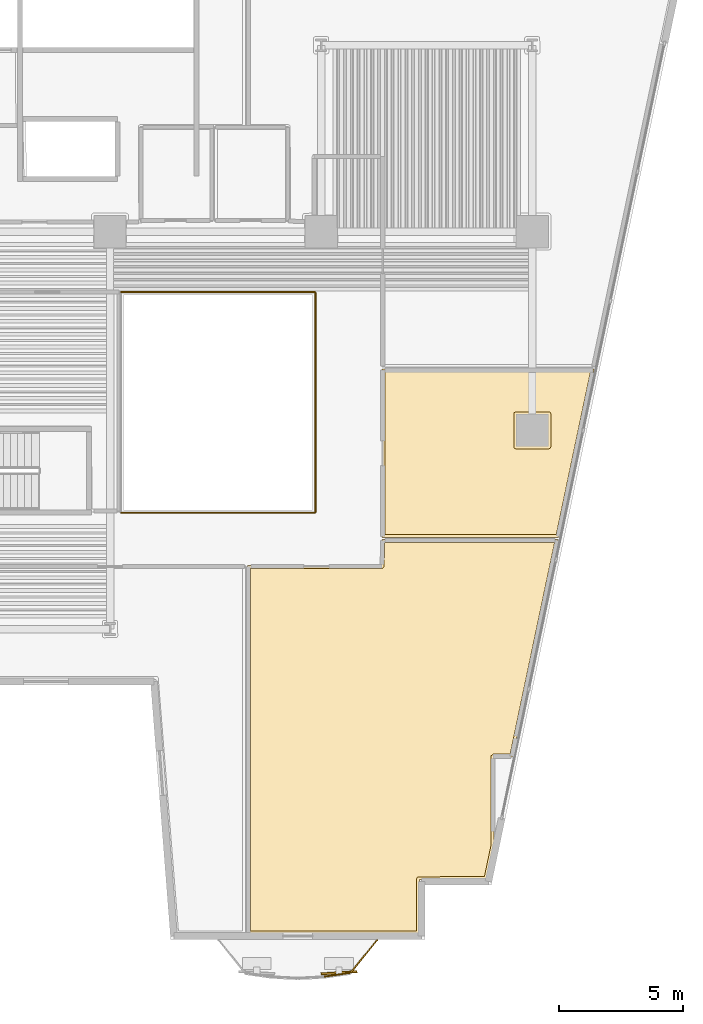
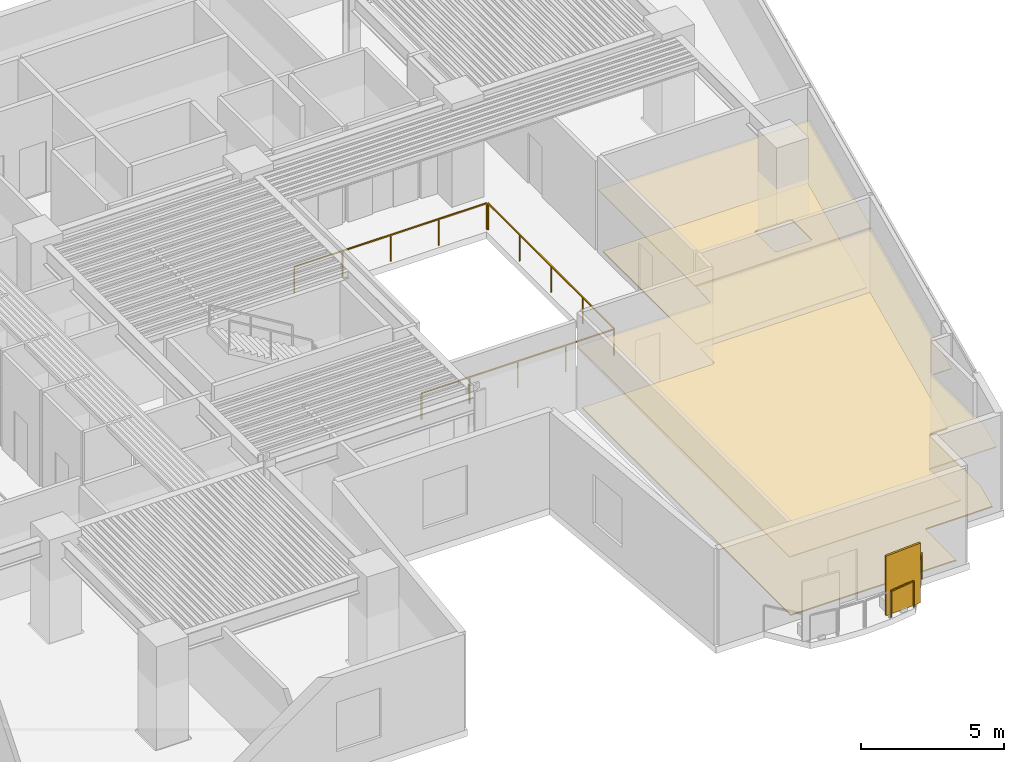
# One storey, part 10 of 12: 5 railings, 4 coverings, 1 shading device.
"""IFC4 building model written with IfcOpenShell, lengths in metres."""

from ifc_helpers import new_model, si_unit, direction, frame, origin, origin_2d, place, context, subcontext, project, spatial, polyline, rectangle, outline, extrude, material, layer, layer_set, type_object, element, save


model = new_model("IFC4")

# Units and contexts
model_context = context("Model", 3, precision=1e-05, world=origin(), true_north=direction((0.0, 1.0)))
body_context = subcontext(model_context, "Body", "Model", "MODEL_VIEW")
ifc_project = project(units=[si_unit("LENGTHUNIT", "METRE"), si_unit("AREAUNIT", "SQUARE_METRE"), si_unit("VOLUMEUNIT", "CUBIC_METRE"), si_unit("PLANEANGLEUNIT", "RADIAN"), si_unit("MASSUNIT", "GRAM", prefix="KILO")], contexts=[model_context])

# Site, building, storey
site_placement = place(None, origin())
site = spatial("IfcSite", under=ifc_project, at=site_placement, CompositionType="ELEMENT")
building_placement = place(site_placement, origin())
building = spatial("IfcBuilding", under=site, at=building_placement, Name="Caeloran Harvest Quay", CompositionType="ELEMENT")
storey_placement = place(building_placement, frame((0.0, 0.0, 84.199951171875)))
storey = spatial("IfcBuildingStorey", under=building, at=storey_placement, Name="L19", CompositionType="ELEMENT", Elevation=84.199951171875)

# Coverings
ifc_material_1 = material(Name="Perforated Mineral-Fibre Acoustic Ceiling Tile", Category="ceiling")
ifc_layer_1 = layer(ifc_material_1, 0.0400390625, Name="Perforated Mineral-Fibre Acoustic Ceiling Tile")
ifc_layer_set_1 = layer_set([ifc_layer_1], Name="Perforated Mineral-Fibre Acoustic Ceiling Tile")
covering_type_1 = type_object("IfcCoveringType", Name="COV-CEILING-ACOUSTIC", PredefinedType="CEILING", material=ifc_layer_set_1)
covering_1_placement = place(storey_placement, frame((0.0, 0.0, 2.60009765625)))
element("IfcCovering", 1, at=covering_1_placement, inside=storey, type_object=covering_type_1, Name="Sensory Fermentation Kitchen Acoustic Ceiling", PredefinedType="CEILING", context=body_context, shape_type="SweptSolid", body=[
    extrude(outline(polyline([(52.04638671875, 18.610107421875), (50.2041015625, 9.840087890625), (49.4599609375, 9.840087890625), (49.4599609375, 6.297607421875), (49.170654296875, 4.919921875), (46.467041015625, 4.919921875), (46.467041015625, 2.719970703125), (39.5400390625, 2.719970703125), (39.5400390625, 17.56005859375), (44.9111328125, 17.56005859375), (44.941162109375, 18.610107421875), (52.04638671875, 18.610107421875)])), origin(), (0.0, 0.0, 1.0), 0.0400390625),
])
covering_2_placement = place(storey_placement, frame((0.0, 0.0, 2.60009765625)))
element("IfcCovering", 2, at=covering_2_placement, inside=storey, type_object=covering_type_1, Name="Chef Development Kitchen Acoustic Ceiling", PredefinedType="CEILING", context=body_context, shape_type="SweptSolid", body=[
    extrude(outline(polyline([(44.93994140625, 18.68994140625), (44.93994140625, 25.4599609375), (53.485595703125, 25.4599609375), (52.063232421875, 18.68994140625), (44.93994140625, 18.68994140625)])), origin(), (0.0, 0.0, 1.0), 0.0400390625),
])
ifc_material_2 = material(Name="Calcium-Sulphate Raised Access Floor and Terrazzo Finish", Category="flooring")
ifc_layer_2 = layer(ifc_material_2, 0.050048828125, Name="Calcium-Sulphate Raised Access Floor and Terrazzo Finish")
ifc_layer_set_2 = layer_set([ifc_layer_2], Name="Calcium-Sulphate Raised Access Floor and Terrazzo Finish")
covering_type_2 = type_object("IfcCoveringType", Name="COV-FLOOR-RAISED", PredefinedType="FLOORING", material=ifc_layer_set_2)
covering_3_placement = place(storey_placement, origin())
element("IfcCovering", 3, at=covering_3_placement, inside=storey, type_object=covering_type_2, Name="Sensory Fermentation Kitchen Raised Finish Flooring", PredefinedType="FLOORING", context=body_context, shape_type="SweptSolid", body=[
    extrude(outline(polyline([(51.898681640625, 18.489990234375), (50.106689453125, 9.9599609375), (49.412109375, 9.959716796875), (49.341552734375, 9.8955078125), (49.340087890625, 6.31005859375), (49.0732421875, 5.0400390625), (46.376220703125, 5.021728515625), (46.346923828125, 4.9599609375), (46.346923828125, 2.840087890625), (39.659912109375, 2.840087890625), (39.659912109375, 17.43994140625), (44.96533203125, 17.44140625), (45.029296875, 17.510009765625), (45.0576171875, 18.489990234375), (51.898681640625, 18.489990234375)])), origin(), (0.0, 0.0, 1.0), 0.050048828125),
])
covering_4_placement = place(storey_placement, origin())
element("IfcCovering", 4, at=covering_4_placement, inside=storey, type_object=covering_type_2, Name="Chef Development Kitchen Raised Finish Flooring", PredefinedType="FLOORING", context=body_context, shape_type="SweptSolid", body=[
    extrude(outline(polyline([(51.9658203125, 18.81005859375), (45.06005859375, 18.81005859375), (45.06005859375, 25.340087890625), (53.337646484375, 25.340087890625), (51.9658203125, 18.81005859375)]), holes=[polyline([(51.7451171875, 23.6650390625), (51.7216796875, 23.7216796875), (51.6650390625, 23.7451171875), (50.3349609375, 23.7451171875), (50.2783203125, 23.7216796875), (50.2548828125, 23.6650390625), (50.2548828125, 22.3349609375), (50.2783203125, 22.2783203125), (50.3349609375, 22.2548828125), (51.6650390625, 22.2548828125), (51.7216796875, 22.2783203125), (51.7451171875, 22.3349609375), (51.7451171875, 23.6650390625)])]), origin(), (0.0, 0.0, 1.0), 0.050048828125),
])

# Railings
ifc_material_3 = material(Name="Powder-Coated Steel Post and Laminated Glass Guardrail", Category="steel")
ifc_layer_3 = layer(ifc_material_3, 0.06005859375, Name="Powder-Coated Steel Post and Laminated Glass Guardrail")
ifc_layer_set_3 = layer_set([ifc_layer_3], Name="Powder-Coated Steel Post and Laminated Glass Guardrail")
railing_type_1 = type_object("IfcRailingType", Name="GUARD-ATRIUM-1150", PredefinedType="GUARDRAIL", material=ifc_layer_set_3)
railing_1_placement = place(storey_placement, frame((34.4619140625, 19.679931640625, 0.0)))
element("IfcRailing", 5, at=railing_1_placement, inside=storey, type_object=railing_type_1, Name="L19 East Botanical Lightwell Guardrail Seg 1", PredefinedType="GUARDRAIL", context=body_context, shape_type="SweptSolid", body=[
    extrude(rectangle(XDim=0.048095703125, YDim=0.048095703125, at=origin_2d()), frame((0.0, 0.0, 1.1259765625), z_axis=(1.0, 0.0, 0.0), x_axis=(0.0, 1.0, 0.0)), (0.0, 0.0, 1.0), 7.776123046875),
    extrude(rectangle(XDim=0.0419921875, YDim=0.0419921875, at=origin_2d()), origin(), (0.0, 0.0, 1.0), 1.101806640625),
    extrude(rectangle(XDim=0.0419921875, YDim=0.0419921875, at=origin_2d()), frame((1.944091796875, 0.0, 0.0)), (0.0, 0.0, 1.0), 1.101806640625),
    extrude(rectangle(XDim=0.0419921875, YDim=0.0419921875, at=origin_2d()), frame((3.88818359375, 0.0, 0.0)), (0.0, 0.0, 1.0), 1.101806640625),
    extrude(rectangle(XDim=0.0419921875, YDim=0.0419921875, at=origin_2d()), frame((5.83203125, 0.0, 0.0)), (0.0, 0.0, 1.0), 1.101806640625),
    extrude(rectangle(XDim=0.0419921875, YDim=0.0419921875, at=origin_2d()), frame((7.776123046875, 0.0, 0.0)), (0.0, 0.0, 1.0), 1.101806640625),
])
railing_2_placement = place(storey_placement, frame((42.27001953125, 19.7119140625, 0.0)))
element("IfcRailing", 6, at=railing_2_placement, inside=storey, type_object=railing_type_1, Name="L19 East Botanical Lightwell Guardrail Seg 2", PredefinedType="GUARDRAIL", context=body_context, shape_type="SweptSolid", body=[
    extrude(rectangle(XDim=0.048095703125, YDim=0.048095703125, at=origin_2d()), frame((0.0, 0.0, 1.1259765625), z_axis=(0.0, 1.0, 0.0), x_axis=(-1.0, 0.0, 0.0)), (0.0, 0.0, 1.0), 8.826171875),
    extrude(rectangle(XDim=0.0419921875, YDim=0.0419921875, at=origin_2d()), origin(), (0.0, 0.0, 1.0), 1.101806640625),
    extrude(rectangle(XDim=0.0419921875, YDim=0.0419921875, at=origin_2d()), frame((0.0, 2.20654296875, 0.0)), (0.0, 0.0, 1.0), 1.101806640625),
    extrude(rectangle(XDim=0.0419921875, YDim=0.0419921875, at=origin_2d()), frame((0.0, 4.4130859375, 0.0)), (0.0, 0.0, 1.0), 1.101806640625),
    extrude(rectangle(XDim=0.0419921875, YDim=0.0419921875, at=origin_2d()), frame((0.0, 6.61962890625, 0.0)), (0.0, 0.0, 1.0), 1.101806640625),
    extrude(rectangle(XDim=0.0419921875, YDim=0.0419921875, at=origin_2d()), frame((0.0, 8.826171875, 0.0)), (0.0, 0.0, 1.0), 1.101806640625),
])
railing_3_placement = place(storey_placement, frame((42.238037109375, 28.570068359375, 0.0)))
element("IfcRailing", 7, at=railing_3_placement, inside=storey, type_object=railing_type_1, Name="L19 East Botanical Lightwell Guardrail Seg 3", PredefinedType="GUARDRAIL", context=body_context, shape_type="SweptSolid", body=[
    extrude(rectangle(XDim=0.048095703125, YDim=0.048095703125, at=origin_2d()), frame((0.0, 0.0, 1.1259765625), z_axis=(-1.0, 0.0, 0.0), x_axis=(0.0, -1.0, 0.0)), (0.0, 0.0, 1.0), 7.776123046875),
    extrude(rectangle(XDim=0.0419921875, YDim=0.0419921875, at=origin_2d()), origin(), (0.0, 0.0, 1.0), 1.101806640625),
    extrude(rectangle(XDim=0.0419921875, YDim=0.0419921875, at=origin_2d()), frame((-1.944091796875, 0.0, 0.0)), (0.0, 0.0, 1.0), 1.101806640625),
    extrude(rectangle(XDim=0.0419921875, YDim=0.0419921875, at=origin_2d()), frame((-3.88818359375, 0.0, 0.0)), (0.0, 0.0, 1.0), 1.101806640625),
    extrude(rectangle(XDim=0.0419921875, YDim=0.0419921875, at=origin_2d()), frame((-5.83203125, 0.0, 0.0)), (0.0, 0.0, 1.0), 1.101806640625),
    extrude(rectangle(XDim=0.0419921875, YDim=0.0419921875, at=origin_2d()), frame((-7.776123046875, 0.0, 0.0)), (0.0, 0.0, 1.0), 1.101806640625),
])
ifc_material_4 = material(Name="Laminated Safety Glass and Stainless Steel 316", Category="steel")
ifc_layer_4 = layer(ifc_material_4, 0.06005859375, Name="Laminated Safety Glass and Stainless Steel 316")
ifc_layer_set_4 = layer_set([ifc_layer_4], Name="Laminated Safety Glass and Stainless Steel 316")
railing_type_2 = type_object("IfcRailingType", Name="GUARD-BALUSTRADE-1150", PredefinedType="BALUSTRADE", material=ifc_layer_set_4)
railing_4_placement = place(storey_placement, frame((44.7509765625, 2.47998046875, 0.0)))
element("IfcRailing", 8, at=railing_4_placement, inside=storey, type_object=railing_type_2, Name="L19 Planted Balcony Perimeter Balustrade Guard Seg 1", PredefinedType="BALUSTRADE", context=body_context, shape_type="SweptSolid", body=[
    extrude(rectangle(XDim=0.048095703125, YDim=0.048095703125, at=origin_2d()), frame((0.0, 0.0, 1.1259765625), z_axis=(-0.627786878651, -0.778385274137, 0.0), x_axis=(0.778385274137, -0.627786878651, 0.0)), (0.0, 0.0, 1.0), 1.663330078125),
    extrude(rectangle(XDim=0.0419921875, YDim=0.0419921875, at=origin_2d()), origin(), (0.0, 0.0, 1.0), 1.101806640625),
    extrude(rectangle(XDim=0.0419921875, YDim=0.0419921875, at=origin_2d()), frame((-1.044189453125, -1.294677734375, 0.0)), (0.0, 0.0, 1.0), 1.101806640625),
])
railing_5_placement = place(storey_placement, frame((43.655029296875, 1.156005859375, 0.0)))
element("IfcRailing", 9, at=railing_5_placement, inside=storey, type_object=railing_type_2, Name="L19 Planted Balcony Perimeter Balustrade Guard Seg 2", PredefinedType="BALUSTRADE", context=body_context, shape_type="SweptSolid", body=[
    extrude(rectangle(XDim=0.048095703125, YDim=0.048095703125, at=origin_2d()), frame((0.0, 0.0, 1.1259765625), z_axis=(-0.989765146773, -0.142705831116, 0.0), x_axis=(0.142705831116, -0.989765146773, 0.0)), (0.0, 0.0, 1.0), 1.010986328125),
    extrude(rectangle(XDim=0.0419921875, YDim=0.0419921875, at=origin_2d()), origin(), (0.0, 0.0, 1.0), 1.101806640625),
    extrude(rectangle(XDim=0.0419921875, YDim=0.0419921875, at=origin_2d()), frame((-1.000732421875, -0.144287109375, 0.0)), (0.0, 0.0, 1.0), 1.101806640625),
])

# Shading device
ifc_material_5 = material(Name="3003-H14 Perforated Powder-Coated Aluminium", Category="aluminium")
shading_device_type = type_object("IfcShadingDeviceType", Name="SHADE-SCREEN-FOLDED", PredefinedType="USERDEFINED", material=ifc_material_5)
shading_device_placement = place(storey_placement, frame((43.218505859375, 1.164794921875, 0.0751953125), z_axis=(0.0, 0.0, 1.0), x_axis=(0.997801468292, 0.0662739004, 0.0)))
element("IfcShadingDevice", 10, at=shading_device_placement, inside=storey, type_object=shading_device_type, Name="L19 Folded Facade Breathing Screen 1", ObjectType="SCREEN", PredefinedType="USERDEFINED", context=body_context, shape_type="SweptSolid", body=[
    extrude(rectangle(XDim=1.449951171875, YDim=0.080078125, at=origin_2d()), origin(), (0.0, 0.0, 1.0), 2.550048828125),
])

save(model, "model.ifc")
